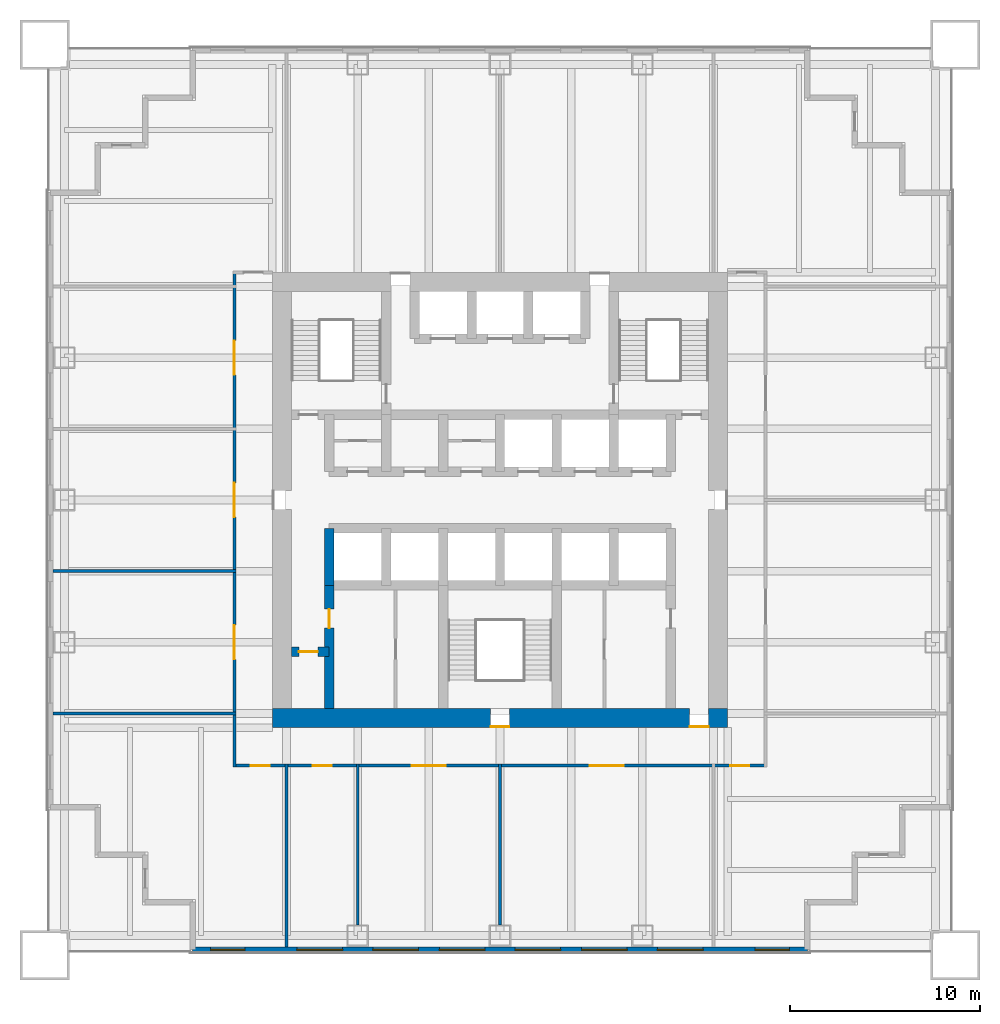
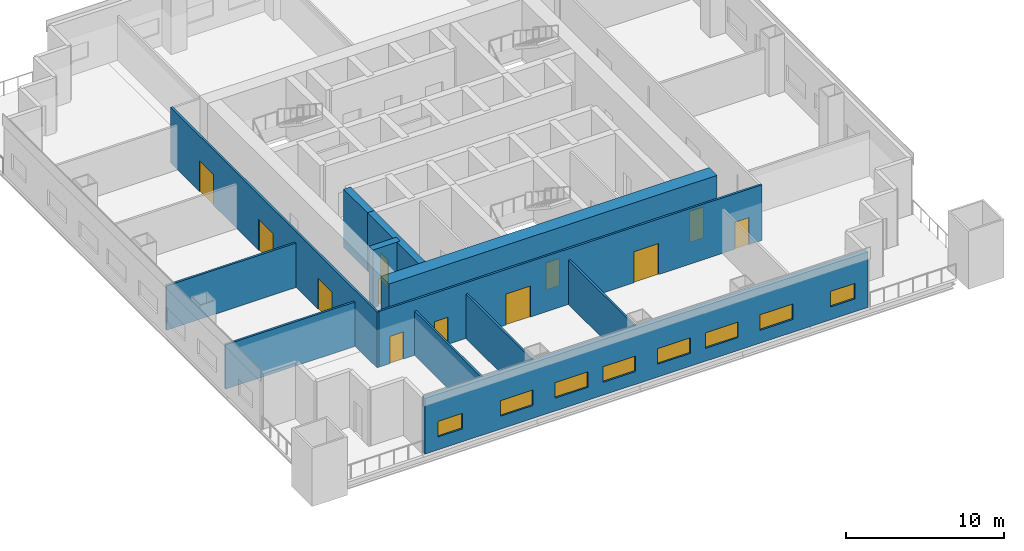
# One storey, part 2 of 7: 12 doors, 12 walls, 8 windows, 20 openings.
"""IFC4 building model written with IfcOpenShell, lengths in metres."""

from ifc_helpers import new_model, si_unit, direction, frame, frame_2d, origin, place, context, subcontext, project, spatial, rectangle, extrude, material, layer, layer_set, type_object, element, fill, save


model = new_model("IFC4")

# Units and contexts
model_context = context("Model", 3, precision=1e-05, world=origin(), true_north=direction((0.0, 1.0)))
body_context = subcontext(model_context, "Body", "Model", "MODEL_VIEW")
ifc_project = project(units=[si_unit("LENGTHUNIT", "METRE"), si_unit("AREAUNIT", "SQUARE_METRE"), si_unit("VOLUMEUNIT", "CUBIC_METRE"), si_unit("PLANEANGLEUNIT", "RADIAN"), si_unit("MASSUNIT", "GRAM", prefix="KILO")], contexts=[model_context])

# Site, building, storey
site_placement = place(None, origin())
site = spatial("IfcSite", under=ifc_project, at=site_placement, CompositionType="ELEMENT")
building_placement = place(site_placement, origin())
building = spatial("IfcBuilding", under=site, at=building_placement, Name="Tarangal Relay Tower", CompositionType="ELEMENT")
storey_placement = place(building_placement, frame((0.0, 0.0, 144.89990234375)))
storey = spatial("IfcBuildingStorey", under=building, at=storey_placement, Name="L29", CompositionType="ELEMENT", Elevation=144.89990234375)

# Wall, opening, door
ifc_material_1 = material(Name="Concrete fc' 60 MPa", Category="concrete")
ifc_layer_1 = layer(ifc_material_1, 0.5)
ifc_layer_set_1 = layer_set([ifc_layer_1], Name="Core inner wall 500")
wall_type_1 = type_object("IfcWallType", Name="Core inner wall 500", PredefinedType="SHEAR", material=ifc_layer_set_1)
wall_1_placement = place(storey_placement, frame((-11.0, -8.0, 0.0), z_axis=(0.0, 0.0, 1.0), x_axis=(1.0, 0.0, 0.0)))
wall_1 = element("IfcWall", 1, at=wall_1_placement, inside=storey, type_object=wall_type_1, Name="Core wall YM8 L29", PredefinedType="SHEAR", context=body_context, shape_type="SweptSolid", body=[
    extrude(rectangle(XDim=2.0, YDim=0.5, at=frame_2d((1.0, 0.0))), origin(), (0.0, 0.0, 1.0), 4.5),
])
opening_1_placement = place(wall_1_placement, frame((0.39990234375, 0.0, 0.0)))
opening_1 = element("IfcOpeningElement", 2, at=opening_1_placement, cuts=wall_1, Name="Opening D1", PredefinedType="OPENING", context=body_context, shape_type="SweptSolid", body=[
    extrude(rectangle(XDim=1.0, YDim=2.10009765625, at=frame_2d((0.5, 1.050048828125))), frame((0.0, 0.260009765625, 0.0), z_axis=(0.0, -1.0, 0.0), x_axis=(1.0, 0.0, 0.0)), (0.0, 0.0, 1.0), 0.52001953125),
])
ifc_material_2 = material(Name="Hardwood door", Category="wood")
door_type_1 = type_object("IfcDoorType", Name="WC door 1000 x 2100", OperationType="SINGLE_SWING_LEFT", PredefinedType="DOOR", material=ifc_material_2)
door_1_placement = place(opening_1_placement, origin())
door_1 = element("IfcDoor", 3, at=door_1_placement, inside=storey, type_object=door_type_1, Name="Accessible WC door L29", OperationType="SINGLE_SWING_LEFT", OverallHeight=2.10009765625, OverallWidth=1.0, PredefinedType="DOOR", context=body_context, shape_type="SweptSolid", body=[
    extrude(rectangle(XDim=1.0, YDim=2.10009765625, at=frame_2d((0.5, 1.050048828125))), frame((0.0, 0.02490234375, 0.0), z_axis=(0.0, -1.0, 0.0), x_axis=(1.0, 0.0, 0.0)), (0.0, 0.0, 1.0), 0.050048828125),
])
fill(opening_1, door_1)

# Wall
wall_2_placement = place(storey_placement, frame((-9.0, -4.5, 0.0), z_axis=(0.0, 0.0, 1.0), x_axis=(0.0, 1.0, 0.0)))
element("IfcWall", 4, at=wall_2_placement, inside=storey, type_object=wall_type_1, Name="Core wall XM9S L29", PredefinedType="SHEAR", context=body_context, shape_type="SweptSolid", body=[
    extrude(rectangle(XDim=3.0, YDim=0.5, at=frame_2d((1.5, 0.0))), origin(), (0.0, 0.0, 1.0), 4.5),
])

# Wall, opening, door
wall_3_placement = place(storey_placement, frame((-9.0, -11.0, 0.0), z_axis=(0.0, 0.0, 1.0), x_axis=(0.0, 1.0, 0.0)))
wall_3 = element("IfcWall", 5, at=wall_3_placement, inside=storey, type_object=wall_type_1, Name="Core wall XM9W L29", PredefinedType="SHEAR", context=body_context, shape_type="SweptSolid", body=[
    extrude(rectangle(XDim=6.5, YDim=0.5, at=frame_2d((3.25, 0.0))), origin(), (0.0, 0.0, 1.0), 4.5),
])
opening_2_placement = place(wall_3_placement, frame((4.25, 0.0, 0.0)))
opening_2 = element("IfcOpeningElement", 6, at=opening_2_placement, cuts=wall_3, Name="Opening D1", PredefinedType="OPENING", context=body_context, shape_type="SweptSolid", body=[
    extrude(rectangle(XDim=1.0, YDim=2.10009765625, at=frame_2d((0.5, 1.050048828125))), frame((0.0, 0.260009765625, 0.0), z_axis=(0.0, -1.0, 0.0), x_axis=(1.0, 0.0, 0.0)), (0.0, 0.0, 1.0), 0.52001953125),
])
door_2_placement = place(opening_2_placement, origin())
door_2 = element("IfcDoor", 7, at=door_2_placement, inside=storey, type_object=door_type_1, Name="Male WC door L29", OperationType="SINGLE_SWING_LEFT", OverallHeight=2.10009765625, OverallWidth=1.0, PredefinedType="DOOR", context=body_context, shape_type="SweptSolid", body=[
    extrude(rectangle(XDim=1.0, YDim=2.10009765625, at=frame_2d((0.5, 1.050048828125))), frame((0.0, 0.02490234375, 0.0), z_axis=(0.0, -1.0, 0.0), x_axis=(1.0, 0.0, 0.0)), (0.0, 0.0, 1.0), 0.050048828125),
])
fill(opening_2, door_2)

# Wall, openings, doors
ifc_layer_2 = layer(ifc_material_1, 1.0)
ifc_layer_set_2 = layer_set([ifc_layer_2], Name="Core wall 1000")
wall_type_2 = type_object("IfcWallType", Name="Core wall 1000", PredefinedType="SHEAR", material=ifc_layer_set_2)
wall_4_placement = place(storey_placement, frame((12.0, -11.5, 0.0), z_axis=(0.0, 0.0, 1.0), x_axis=(-1.0, 0.0, 0.0)))
wall_4 = element("IfcWall", 8, at=wall_4_placement, inside=storey, type_object=wall_type_2, Name="Core wall S L29", PredefinedType="SHEAR", context=body_context, shape_type="SweptSolid", body=[
    extrude(rectangle(XDim=24.0, YDim=1.0, at=frame_2d((12.0, 0.0))), origin(), (0.0, 0.0, 1.0), 4.5),
])
opening_3_placement = place(wall_4_placement, frame((11.5, 0.0, 0.0)))
opening_3 = element("IfcOpeningElement", 9, at=opening_3_placement, cuts=wall_4, Name="Opening FD1", PredefinedType="OPENING", context=body_context, shape_type="SweptSolid", body=[
    extrude(rectangle(XDim=1.0, YDim=2.10009765625, at=frame_2d((0.5, 1.050048828125))), frame((0.0, 0.510009765625, 0.0), z_axis=(0.0, -1.0, 0.0), x_axis=(1.0, 0.0, 0.0)), (0.0, 0.0, 1.0), 1.02001953125),
])
opening_4_placement = place(wall_4_placement, frame((1.0, 0.0, 0.0)))
opening_4 = element("IfcOpeningElement", 10, at=opening_4_placement, cuts=wall_4, Name="Opening FD3", PredefinedType="OPENING", context=body_context, shape_type="SweptSolid", body=[
    extrude(rectangle(XDim=1.0, YDim=2.39990234375, at=frame_2d((0.5, 1.199951171875))), frame((0.0, 0.510009765625, 0.0), z_axis=(0.0, -1.0, 0.0), x_axis=(1.0, 0.0, 0.0)), (0.0, 0.0, 1.0), 1.02001953125),
])
ifc_material_3 = material(Name="Steel door with hardwood frame", Category="steel")
door_type_2 = type_object("IfcDoorType", Name="Fire door 1000 x 2100", OperationType="SINGLE_SWING_LEFT", PredefinedType="DOOR", material=ifc_material_3)
door_3_placement = place(opening_3_placement, origin())
door_3 = element("IfcDoor", 11, at=door_3_placement, inside=storey, type_object=door_type_2, Name="Stair ST-C door L29", OperationType="SINGLE_SWING_LEFT", OverallHeight=2.10009765625, OverallWidth=1.0, PredefinedType="DOOR", context=body_context, shape_type="SweptSolid", body=[
    extrude(rectangle(XDim=1.0, YDim=2.10009765625, at=frame_2d((0.5, 1.050048828125))), frame((0.0, 0.48486328125, 0.0), z_axis=(0.0, -1.0, 0.0), x_axis=(1.0, 0.0, 0.0)), (0.0, 0.0, 1.0), 0.050048828125),
])
fill(opening_3, door_3)
door_type_3 = type_object("IfcDoorType", Name="Fire door 1000 x 2400 core entry", OperationType="SINGLE_SWING_RIGHT", PredefinedType="DOOR", material=ifc_material_3)
door_4_placement = place(opening_4_placement, origin())
door_4 = element("IfcDoor", 12, at=door_4_placement, inside=storey, type_object=door_type_3, Name="Core entry door south east L29", OperationType="SINGLE_SWING_RIGHT", OverallHeight=2.39990234375, OverallWidth=1.0, PredefinedType="DOOR", context=body_context, shape_type="SweptSolid", body=[
    extrude(rectangle(XDim=1.0, YDim=2.39990234375, at=frame_2d((0.5, 1.199951171875))), frame((0.0, 0.48486328125, 0.0), z_axis=(0.0, -1.0, 0.0), x_axis=(1.0, 0.0, 0.0)), (0.0, 0.0, 1.0), 0.050048828125),
])
fill(opening_4, door_4)

# Wall, openings, windows
ifc_material_4 = material(Name="Insulated precast concrete fc' 40 MPa", Category="concrete")
ifc_layer_3 = layer(ifc_material_4, 0.300048828125)
ifc_layer_set_3 = layer_set([ifc_layer_3], Name="Insulated precast concrete fc' 40 MPa")
wall_type_3 = type_object("IfcWallType", Name="Facade wall precast 300", PredefinedType="SOLIDWALL", material=ifc_layer_set_3)
wall_5_placement = place(storey_placement, frame((16.199951171875, -23.699951171875, 0.0), z_axis=(0.0, 0.0, 1.0), x_axis=(-1.0, 0.0, 0.0)))
wall_5 = element("IfcWall", 13, at=wall_5_placement, inside=storey, type_object=wall_type_3, Name="Facade wall S facade L29", PredefinedType="SOLIDWALL", context=body_context, shape_type="SweptSolid", body=[
    extrude(rectangle(XDim=32.39990234375, YDim=0.300048828125, at=frame_2d((16.199951171875, 0.0))), origin(), (0.0, 0.0, 1.0), 4.300048828125),
])
opening_5_placement = place(wall_5_placement, frame((0.949951171875, 0.0, 1.0)))
opening_5 = element("IfcOpeningElement", 14, at=opening_5_placement, cuts=wall_5, Name="Opening WN5", PredefinedType="OPENING", context=body_context, shape_type="SweptSolid", body=[
    extrude(rectangle(XDim=1.800048828125, YDim=1.199951171875, at=frame_2d((0.89990234375, 0.60009765625))), frame((0.0, 0.159912109375, 0.0), z_axis=(0.0, -1.0, 0.0), x_axis=(1.0, 0.0, 0.0)), (0.0, 0.0, 1.0), 0.320068359375),
])
opening_6_placement = place(wall_5_placement, frame((5.5, 0.0, 1.0)))
opening_6 = element("IfcOpeningElement", 15, at=opening_6_placement, cuts=wall_5, Name="Opening WN1", PredefinedType="OPENING", context=body_context, shape_type="SweptSolid", body=[
    extrude(rectangle(XDim=2.39990234375, YDim=1.199951171875, at=frame_2d((1.199951171875, 0.60009765625))), frame((0.0, 0.159912109375, 0.0), z_axis=(0.0, -1.0, 0.0), x_axis=(1.0, 0.0, 0.0)), (0.0, 0.0, 1.0), 0.320068359375),
])
opening_7_placement = place(wall_5_placement, frame((9.5, 0.0, 1.0)))
opening_7 = element("IfcOpeningElement", 16, at=opening_7_placement, cuts=wall_5, Name="Opening WN1", PredefinedType="OPENING", context=body_context, shape_type="SweptSolid", body=[
    extrude(rectangle(XDim=2.39990234375, YDim=1.199951171875, at=frame_2d((1.199951171875, 0.60009765625))), frame((0.0, 0.159912109375, 0.0), z_axis=(0.0, -1.0, 0.0), x_axis=(1.0, 0.0, 0.0)), (0.0, 0.0, 1.0), 0.320068359375),
])
opening_8_placement = place(wall_5_placement, frame((13.0, 0.0, 1.0)))
opening_8 = element("IfcOpeningElement", 17, at=opening_8_placement, cuts=wall_5, Name="Opening WN1", PredefinedType="OPENING", context=body_context, shape_type="SweptSolid", body=[
    extrude(rectangle(XDim=2.39990234375, YDim=1.199951171875, at=frame_2d((1.199951171875, 0.60009765625))), frame((0.0, 0.159912109375, 0.0), z_axis=(0.0, -1.0, 0.0), x_axis=(1.0, 0.0, 0.0)), (0.0, 0.0, 1.0), 0.320068359375),
])
opening_9_placement = place(wall_5_placement, frame((17.0, 0.0, 1.0)))
opening_9 = element("IfcOpeningElement", 18, at=opening_9_placement, cuts=wall_5, Name="Opening WN1", PredefinedType="OPENING", context=body_context, shape_type="SweptSolid", body=[
    extrude(rectangle(XDim=2.39990234375, YDim=1.199951171875, at=frame_2d((1.199951171875, 0.60009765625))), frame((0.0, 0.159912109375, 0.0), z_axis=(0.0, -1.0, 0.0), x_axis=(1.0, 0.0, 0.0)), (0.0, 0.0, 1.0), 0.320068359375),
])
opening_10_placement = place(wall_5_placement, frame((20.5, 0.0, 1.0)))
opening_10 = element("IfcOpeningElement", 19, at=opening_10_placement, cuts=wall_5, Name="Opening WN1", PredefinedType="OPENING", context=body_context, shape_type="SweptSolid", body=[
    extrude(rectangle(XDim=2.39990234375, YDim=1.199951171875, at=frame_2d((1.199951171875, 0.60009765625))), frame((0.0, 0.159912109375, 0.0), z_axis=(0.0, -1.0, 0.0), x_axis=(1.0, 0.0, 0.0)), (0.0, 0.0, 1.0), 0.320068359375),
])
opening_11_placement = place(wall_5_placement, frame((24.5, 0.0, 1.0)))
opening_11 = element("IfcOpeningElement", 20, at=opening_11_placement, cuts=wall_5, Name="Opening WN1", PredefinedType="OPENING", context=body_context, shape_type="SweptSolid", body=[
    extrude(rectangle(XDim=2.39990234375, YDim=1.199951171875, at=frame_2d((1.199951171875, 0.60009765625))), frame((0.0, 0.159912109375, 0.0), z_axis=(0.0, -1.0, 0.0), x_axis=(1.0, 0.0, 0.0)), (0.0, 0.0, 1.0), 0.320068359375),
])
opening_12_placement = place(wall_5_placement, frame((29.64990234375, 0.0, 1.0)))
opening_12 = element("IfcOpeningElement", 21, at=opening_12_placement, cuts=wall_5, Name="Opening WN5", PredefinedType="OPENING", context=body_context, shape_type="SweptSolid", body=[
    extrude(rectangle(XDim=1.800048828125, YDim=1.199951171875, at=frame_2d((0.89990234375, 0.60009765625))), frame((0.0, 0.159912109375, 0.0), z_axis=(0.0, -1.0, 0.0), x_axis=(1.0, 0.0, 0.0)), (0.0, 0.0, 1.0), 0.320068359375),
])
ifc_material_5 = material(Name="Dark tinted double glazing in black aluminium frame", Category="aluminium")
window_type_1 = type_object("IfcWindowType", Name="Ribbon window 1800 x 1200", PartitioningType="SINGLE_PANEL", PredefinedType="WINDOW", material=ifc_material_5)
window_1_placement = place(opening_5_placement, origin())
window_1 = element("IfcWindow", 22, at=window_1_placement, inside=storey, type_object=window_type_1, Name="Ribbon window WN5 S facade L29", OverallHeight=1.199951171875, OverallWidth=1.800048828125, PartitioningType="SINGLE_PANEL", PredefinedType="WINDOW", context=body_context, shape_type="SweptSolid", body=[
    extrude(rectangle(XDim=1.800048828125, YDim=1.199951171875, at=frame_2d((0.89990234375, 0.60009765625))), frame((0.0, 0.030029296875, 0.0), z_axis=(0.0, -1.0, 0.0), x_axis=(1.0, 0.0, 0.0)), (0.0, 0.0, 1.0), 0.06005859375),
])
fill(opening_5, window_1)
window_2_placement = place(opening_12_placement, origin())
window_2 = element("IfcWindow", 23, at=window_2_placement, inside=storey, type_object=window_type_1, Name="Ribbon window WN5 S facade L29", OverallHeight=1.199951171875, OverallWidth=1.800048828125, PartitioningType="SINGLE_PANEL", PredefinedType="WINDOW", context=body_context, shape_type="SweptSolid", body=[
    extrude(rectangle(XDim=1.800048828125, YDim=1.199951171875, at=frame_2d((0.89990234375, 0.60009765625))), frame((0.0, 0.030029296875, 0.0), z_axis=(0.0, -1.0, 0.0), x_axis=(1.0, 0.0, 0.0)), (0.0, 0.0, 1.0), 0.06005859375),
])
fill(opening_12, window_2)
window_type_2 = type_object("IfcWindowType", Name="Ribbon window 2400 x 1200", PartitioningType="SINGLE_PANEL", PredefinedType="WINDOW", material=ifc_material_5)
window_3_placement = place(opening_6_placement, origin())
window_3 = element("IfcWindow", 24, at=window_3_placement, inside=storey, type_object=window_type_2, Name="Ribbon window WN1 S facade L29", OverallHeight=1.199951171875, OverallWidth=2.39990234375, PartitioningType="SINGLE_PANEL", PredefinedType="WINDOW", context=body_context, shape_type="SweptSolid", body=[
    extrude(rectangle(XDim=2.39990234375, YDim=1.199951171875, at=frame_2d((1.199951171875, 0.60009765625))), frame((0.0, 0.030029296875, 0.0), z_axis=(0.0, -1.0, 0.0), x_axis=(1.0, 0.0, 0.0)), (0.0, 0.0, 1.0), 0.06005859375),
])
fill(opening_6, window_3)
window_4_placement = place(opening_7_placement, origin())
window_4 = element("IfcWindow", 25, at=window_4_placement, inside=storey, type_object=window_type_2, Name="Ribbon window WN1 S facade L29", OverallHeight=1.199951171875, OverallWidth=2.39990234375, PartitioningType="SINGLE_PANEL", PredefinedType="WINDOW", context=body_context, shape_type="SweptSolid", body=[
    extrude(rectangle(XDim=2.39990234375, YDim=1.199951171875, at=frame_2d((1.199951171875, 0.60009765625))), frame((0.0, 0.030029296875, 0.0), z_axis=(0.0, -1.0, 0.0), x_axis=(1.0, 0.0, 0.0)), (0.0, 0.0, 1.0), 0.06005859375),
])
fill(opening_7, window_4)
window_5_placement = place(opening_8_placement, origin())
window_5 = element("IfcWindow", 26, at=window_5_placement, inside=storey, type_object=window_type_2, Name="Ribbon window WN1 S facade L29", OverallHeight=1.199951171875, OverallWidth=2.39990234375, PartitioningType="SINGLE_PANEL", PredefinedType="WINDOW", context=body_context, shape_type="SweptSolid", body=[
    extrude(rectangle(XDim=2.39990234375, YDim=1.199951171875, at=frame_2d((1.199951171875, 0.60009765625))), frame((0.0, 0.030029296875, 0.0), z_axis=(0.0, -1.0, 0.0), x_axis=(1.0, 0.0, 0.0)), (0.0, 0.0, 1.0), 0.06005859375),
])
fill(opening_8, window_5)
window_6_placement = place(opening_9_placement, origin())
window_6 = element("IfcWindow", 27, at=window_6_placement, inside=storey, type_object=window_type_2, Name="Ribbon window WN1 S facade L29", OverallHeight=1.199951171875, OverallWidth=2.39990234375, PartitioningType="SINGLE_PANEL", PredefinedType="WINDOW", context=body_context, shape_type="SweptSolid", body=[
    extrude(rectangle(XDim=2.39990234375, YDim=1.199951171875, at=frame_2d((1.199951171875, 0.60009765625))), frame((0.0, 0.030029296875, 0.0), z_axis=(0.0, -1.0, 0.0), x_axis=(1.0, 0.0, 0.0)), (0.0, 0.0, 1.0), 0.06005859375),
])
fill(opening_9, window_6)
window_7_placement = place(opening_10_placement, origin())
window_7 = element("IfcWindow", 28, at=window_7_placement, inside=storey, type_object=window_type_2, Name="Ribbon window WN1 S facade L29", OverallHeight=1.199951171875, OverallWidth=2.39990234375, PartitioningType="SINGLE_PANEL", PredefinedType="WINDOW", context=body_context, shape_type="SweptSolid", body=[
    extrude(rectangle(XDim=2.39990234375, YDim=1.199951171875, at=frame_2d((1.199951171875, 0.60009765625))), frame((0.0, 0.030029296875, 0.0), z_axis=(0.0, -1.0, 0.0), x_axis=(1.0, 0.0, 0.0)), (0.0, 0.0, 1.0), 0.06005859375),
])
fill(opening_10, window_7)
window_8_placement = place(opening_11_placement, origin())
window_8 = element("IfcWindow", 29, at=window_8_placement, inside=storey, type_object=window_type_2, Name="Ribbon window WN1 S facade L29", OverallHeight=1.199951171875, OverallWidth=2.39990234375, PartitioningType="SINGLE_PANEL", PredefinedType="WINDOW", context=body_context, shape_type="SweptSolid", body=[
    extrude(rectangle(XDim=2.39990234375, YDim=1.199951171875, at=frame_2d((1.199951171875, 0.60009765625))), frame((0.0, 0.030029296875, 0.0), z_axis=(0.0, -1.0, 0.0), x_axis=(1.0, 0.0, 0.0)), (0.0, 0.0, 1.0), 0.06005859375),
])
fill(opening_11, window_8)

# Wall, openings, doors
ifc_material_6 = material(Name="Gypsum board on steel studs", Category="steel")
ifc_layer_4 = layer(ifc_material_6, 0.14990234375)
ifc_layer_set_4 = layer_set([ifc_layer_4], Name="Partition 150")
wall_type_4 = type_object("IfcWallType", Name="Partition 150", PredefinedType="PARTITIONING", material=ifc_layer_set_4)
wall_6_placement = place(storey_placement, frame((-14.074951171875, -14.0, 0.0), z_axis=(0.0, 0.0, 1.0), x_axis=(1.0, 0.0, 0.0)))
wall_6 = element("IfcWall", 30, at=wall_6_placement, inside=storey, type_object=wall_type_4, Name="Partition PT1 L29", PredefinedType="PARTITIONING", context=body_context, shape_type="SweptSolid", body=[
    extrude(rectangle(XDim=28.14990234375, YDim=0.14990234375, at=frame_2d((14.074951171875, 0.0))), origin(), (0.0, 0.0, 1.0), 4.300048828125),
])
opening_13_placement = place(wall_6_placement, frame((18.800048828125, 0.0, 0.0)))
opening_13 = element("IfcOpeningElement", 31, at=opening_13_placement, cuts=wall_6, Name="Opening DD1", PredefinedType="OPENING", context=body_context, shape_type="SweptSolid", body=[
    extrude(rectangle(XDim=1.800048828125, YDim=2.39990234375, at=frame_2d((0.89990234375, 1.199951171875))), frame((0.0, 0.0849609375, 0.0), z_axis=(0.0, -1.0, 0.0), x_axis=(1.0, 0.0, 0.0)), (0.0, 0.0, 1.0), 0.169921875),
])
opening_14_placement = place(wall_6_placement, frame((9.425048828125, 0.0, 0.0)))
opening_14 = element("IfcOpeningElement", 32, at=opening_14_placement, cuts=wall_6, Name="Opening DD1", PredefinedType="OPENING", context=body_context, shape_type="SweptSolid", body=[
    extrude(rectangle(XDim=1.800048828125, YDim=2.39990234375, at=frame_2d((0.89990234375, 1.199951171875))), frame((0.0, 0.0849609375, 0.0), z_axis=(0.0, -1.0, 0.0), x_axis=(1.0, 0.0, 0.0)), (0.0, 0.0, 1.0), 0.169921875),
])
opening_15_placement = place(wall_6_placement, frame((4.199951171875, 0.0, 0.0)))
opening_15 = element("IfcOpeningElement", 33, at=opening_15_placement, cuts=wall_6, Name="Opening D2", PredefinedType="OPENING", context=body_context, shape_type="SweptSolid", body=[
    extrude(rectangle(XDim=1.0, YDim=2.10009765625, at=frame_2d((0.5, 1.050048828125))), frame((0.0, 0.0849609375, 0.0), z_axis=(0.0, -1.0, 0.0), x_axis=(1.0, 0.0, 0.0)), (0.0, 0.0, 1.0), 0.169921875),
])
opening_16_placement = place(wall_6_placement, frame((26.199951171875, 0.0, 0.0)))
opening_16 = element("IfcOpeningElement", 34, at=opening_16_placement, cuts=wall_6, Name="Opening D2", PredefinedType="OPENING", context=body_context, shape_type="SweptSolid", body=[
    extrude(rectangle(XDim=1.0, YDim=2.10009765625, at=frame_2d((0.5, 1.050048828125))), frame((0.0, 0.0849609375, 0.0), z_axis=(0.0, -1.0, 0.0), x_axis=(1.0, 0.0, 0.0)), (0.0, 0.0, 1.0), 0.169921875),
])
opening_17_placement = place(wall_6_placement, frame((0.949951171875, 0.0, 0.0)))
opening_17 = element("IfcOpeningElement", 35, at=opening_17_placement, cuts=wall_6, Name="Opening D2", PredefinedType="OPENING", context=body_context, shape_type="SweptSolid", body=[
    extrude(rectangle(XDim=1.0, YDim=2.10009765625, at=frame_2d((0.5, 1.050048828125))), frame((0.0, 0.0849609375, 0.0), z_axis=(0.0, -1.0, 0.0), x_axis=(1.0, 0.0, 0.0)), (0.0, 0.0, 1.0), 0.169921875),
])
door_type_4 = type_object("IfcDoorType", Name="Door 1000 x 2100", OperationType="SINGLE_SWING_LEFT", PredefinedType="DOOR", material=ifc_material_2)
door_5_placement = place(opening_15_placement, origin())
door_5 = element("IfcDoor", 36, at=door_5_placement, inside=storey, type_object=door_type_4, Name="Door D2 to spares store L29-08", OperationType="SINGLE_SWING_LEFT", OverallHeight=2.10009765625, OverallWidth=1.0, PredefinedType="DOOR", context=body_context, shape_type="SweptSolid", body=[
    extrude(rectangle(XDim=1.0, YDim=2.10009765625, at=frame_2d((0.5, 1.050048828125))), frame((0.0, 0.02490234375, 0.0), z_axis=(0.0, -1.0, 0.0), x_axis=(1.0, 0.0, 0.0)), (0.0, 0.0, 1.0), 0.050048828125),
])
fill(opening_15, door_5)
door_6_placement = place(opening_16_placement, origin())
door_6 = element("IfcDoor", 37, at=door_6_placement, inside=storey, type_object=door_type_4, Name="Door D2 to test lab L29-13", OperationType="SINGLE_SWING_LEFT", OverallHeight=2.10009765625, OverallWidth=1.0, PredefinedType="DOOR", context=body_context, shape_type="SweptSolid", body=[
    extrude(rectangle(XDim=1.0, YDim=2.10009765625, at=frame_2d((0.5, 1.050048828125))), frame((0.0, 0.02490234375, 0.0), z_axis=(0.0, -1.0, 0.0), x_axis=(1.0, 0.0, 0.0)), (0.0, 0.0, 1.0), 0.050048828125),
])
fill(opening_16, door_6)
door_7_placement = place(opening_17_placement, origin())
door_7 = element("IfcDoor", 38, at=door_7_placement, inside=storey, type_object=door_type_4, Name="Door D2 to engineering office L29-14", OperationType="SINGLE_SWING_LEFT", OverallHeight=2.10009765625, OverallWidth=1.0, PredefinedType="DOOR", context=body_context, shape_type="SweptSolid", body=[
    extrude(rectangle(XDim=1.0, YDim=2.10009765625, at=frame_2d((0.5, 1.050048828125))), frame((0.0, 0.02490234375, 0.0), z_axis=(0.0, -1.0, 0.0), x_axis=(1.0, 0.0, 0.0)), (0.0, 0.0, 1.0), 0.050048828125),
])
fill(opening_17, door_7)
door_type_5 = type_object("IfcDoorType", Name="Equipment double door 1800 x 2400", OperationType="DOUBLE_DOOR_SINGLE_SWING", PredefinedType="DOOR", material=ifc_material_3)
door_8_placement = place(opening_13_placement, origin())
door_8 = element("IfcDoor", 39, at=door_8_placement, inside=storey, type_object=door_type_5, Name="Door DD1 to rectifier and battery room L29-06", OperationType="DOUBLE_DOOR_SINGLE_SWING", OverallHeight=2.39990234375, OverallWidth=1.800048828125, PredefinedType="DOOR", context=body_context, shape_type="SweptSolid", body=[
    extrude(rectangle(XDim=1.800048828125, YDim=2.39990234375, at=frame_2d((0.89990234375, 1.199951171875))), frame((0.0, 0.02490234375, 0.0), z_axis=(0.0, -1.0, 0.0), x_axis=(1.0, 0.0, 0.0)), (0.0, 0.0, 1.0), 0.050048828125),
])
fill(opening_13, door_8)
door_9_placement = place(opening_14_placement, origin())
door_9 = element("IfcDoor", 40, at=door_9_placement, inside=storey, type_object=door_type_5, Name="Door DD1 to electrical room L29-07", OperationType="DOUBLE_DOOR_SINGLE_SWING", OverallHeight=2.39990234375, OverallWidth=1.800048828125, PredefinedType="DOOR", context=body_context, shape_type="SweptSolid", body=[
    extrude(rectangle(XDim=1.800048828125, YDim=2.39990234375, at=frame_2d((0.89990234375, 1.199951171875))), frame((0.0, 0.02490234375, 0.0), z_axis=(0.0, -1.0, 0.0), x_axis=(1.0, 0.0, 0.0)), (0.0, 0.0, 1.0), 0.050048828125),
])
fill(opening_14, door_9)

# Walls
for number, where, z_axis, x_axis, name in (
    (41, (-23.550048828125, -11.25, 0.0), (0.0, 0.0, 1.0), (1.0, 0.0, 0.0), "Partition PT1 L29"),
    (42, (-23.550048828125, -3.75, 0.0), (0.0, 0.0, 1.0), (1.0, 0.0, 0.0), "Partition PT1 L29"),
):
    element("IfcWall", number, at=place(storey_placement, frame(where, z_axis=z_axis, x_axis=x_axis)), inside=storey, type_object=wall_type_4, Name=name, PredefinedType="PARTITIONING", context=body_context, shape_type="SweptSolid", body=[
        extrude(rectangle(XDim=9.625, YDim=0.14990234375, at=frame_2d((4.8125, 0.0))), origin(), (0.0, 0.0, 1.0), 3.431396484375),
    ])

# Wall, openings, doors
wall_7_placement = place(storey_placement, frame((-14.0, -14.074951171875, 0.0), z_axis=(0.0, 0.0, 1.0), x_axis=(0.0, 1.0, 0.0)))
wall_7 = element("IfcWall", 43, at=wall_7_placement, inside=storey, type_object=wall_type_4, Name="Partition PT1 L29", PredefinedType="PARTITIONING", context=body_context, shape_type="SweptSolid", body=[
    extrude(rectangle(XDim=26.14990234375, YDim=0.14990234375, at=frame_2d((13.074951171875, 0.0))), origin(), (0.0, 0.0, 1.0), 4.300048828125),
])
opening_18_placement = place(wall_7_placement, frame((5.675048828125, 0.0, 0.0)))
opening_18 = element("IfcOpeningElement", 44, at=opening_18_placement, cuts=wall_7, Name="Opening DD1", PredefinedType="OPENING", context=body_context, shape_type="SweptSolid", body=[
    extrude(rectangle(XDim=1.800048828125, YDim=2.39990234375, at=frame_2d((0.89990234375, 1.199951171875))), frame((0.0, 0.0849609375, 0.0), z_axis=(0.0, -1.0, 0.0), x_axis=(1.0, 0.0, 0.0)), (0.0, 0.0, 1.0), 0.169921875),
])
opening_19_placement = place(wall_7_placement, frame((13.175048828125, 0.0, 0.0)))
opening_19 = element("IfcOpeningElement", 45, at=opening_19_placement, cuts=wall_7, Name="Opening DD1", PredefinedType="OPENING", context=body_context, shape_type="SweptSolid", body=[
    extrude(rectangle(XDim=1.800048828125, YDim=2.39990234375, at=frame_2d((0.89990234375, 1.199951171875))), frame((0.0, 0.0849609375, 0.0), z_axis=(0.0, -1.0, 0.0), x_axis=(1.0, 0.0, 0.0)), (0.0, 0.0, 1.0), 0.169921875),
])
opening_20_placement = place(wall_7_placement, frame((20.675048828125, 0.0, 0.0)))
opening_20 = element("IfcOpeningElement", 46, at=opening_20_placement, cuts=wall_7, Name="Opening DD1", PredefinedType="OPENING", context=body_context, shape_type="SweptSolid", body=[
    extrude(rectangle(XDim=1.800048828125, YDim=2.39990234375, at=frame_2d((0.89990234375, 1.199951171875))), frame((0.0, 0.0849609375, 0.0), z_axis=(0.0, -1.0, 0.0), x_axis=(1.0, 0.0, 0.0)), (0.0, 0.0, 1.0), 0.169921875),
])
door_10_placement = place(opening_18_placement, origin())
door_10 = element("IfcDoor", 47, at=door_10_placement, inside=storey, type_object=door_type_5, Name="Door DD1 to telecom equipment room L29-09", OperationType="DOUBLE_DOOR_SINGLE_SWING", OverallHeight=2.39990234375, OverallWidth=1.800048828125, PredefinedType="DOOR", context=body_context, shape_type="SweptSolid", body=[
    extrude(rectangle(XDim=1.800048828125, YDim=2.39990234375, at=frame_2d((0.89990234375, 1.199951171875))), frame((0.0, 0.02490234375, 0.0), z_axis=(0.0, -1.0, 0.0), x_axis=(1.0, 0.0, 0.0)), (0.0, 0.0, 1.0), 0.050048828125),
])
fill(opening_18, door_10)
door_11_placement = place(opening_19_placement, origin())
door_11 = element("IfcDoor", 48, at=door_11_placement, inside=storey, type_object=door_type_5, Name="Door DD1 to telecom equipment room L29-10", OperationType="DOUBLE_DOOR_SINGLE_SWING", OverallHeight=2.39990234375, OverallWidth=1.800048828125, PredefinedType="DOOR", context=body_context, shape_type="SweptSolid", body=[
    extrude(rectangle(XDim=1.800048828125, YDim=2.39990234375, at=frame_2d((0.89990234375, 1.199951171875))), frame((0.0, 0.02490234375, 0.0), z_axis=(0.0, -1.0, 0.0), x_axis=(1.0, 0.0, 0.0)), (0.0, 0.0, 1.0), 0.050048828125),
])
fill(opening_19, door_11)
door_12_placement = place(opening_20_placement, origin())
door_12 = element("IfcDoor", 49, at=door_12_placement, inside=storey, type_object=door_type_5, Name="Door DD1 to fibre distribution room L29-11", OperationType="DOUBLE_DOOR_SINGLE_SWING", OverallHeight=2.39990234375, OverallWidth=1.800048828125, PredefinedType="DOOR", context=body_context, shape_type="SweptSolid", body=[
    extrude(rectangle(XDim=1.800048828125, YDim=2.39990234375, at=frame_2d((0.89990234375, 1.199951171875))), frame((0.0, 0.02490234375, 0.0), z_axis=(0.0, -1.0, 0.0), x_axis=(1.0, 0.0, 0.0)), (0.0, 0.0, 1.0), 0.050048828125),
])
fill(opening_20, door_12)

# Walls
wall_8_placement = place(storey_placement, frame((-11.25, -23.550048828125, 0.0), z_axis=(0.0, 0.0, 1.0), x_axis=(0.0, 1.0, 0.0)))
element("IfcWall", 50, at=wall_8_placement, inside=storey, type_object=wall_type_4, Name="Partition PT1 L29", PredefinedType="PARTITIONING", context=body_context, shape_type="SweptSolid", body=[
    extrude(rectangle(XDim=9.625, YDim=0.14990234375, at=frame_2d((4.8125, 0.0))), origin(), (0.0, 0.0, 1.0), 3.431396484375),
])
for number, where, z_axis, x_axis, name in (
    (51, (-7.5, -22.389892578125, 0.0), (0.0, 0.0, 1.0), (0.0, 1.0, 0.0), "Partition PT1 L29"),
    (52, (0.0, -22.389892578125, 0.0), (0.0, 0.0, 1.0), (0.0, 1.0, 0.0), "Partition PT1 L29"),
):
    element("IfcWall", number, at=place(storey_placement, frame(where, z_axis=z_axis, x_axis=x_axis)), inside=storey, type_object=wall_type_4, Name=name, PredefinedType="PARTITIONING", context=body_context, shape_type="SweptSolid", body=[
        extrude(rectangle(XDim=8.46484375, YDim=0.14990234375, at=frame_2d((4.232421875, 0.0))), origin(), (0.0, 0.0, 1.0), 3.431396484375),
    ])

save(model, "model.ifc")
